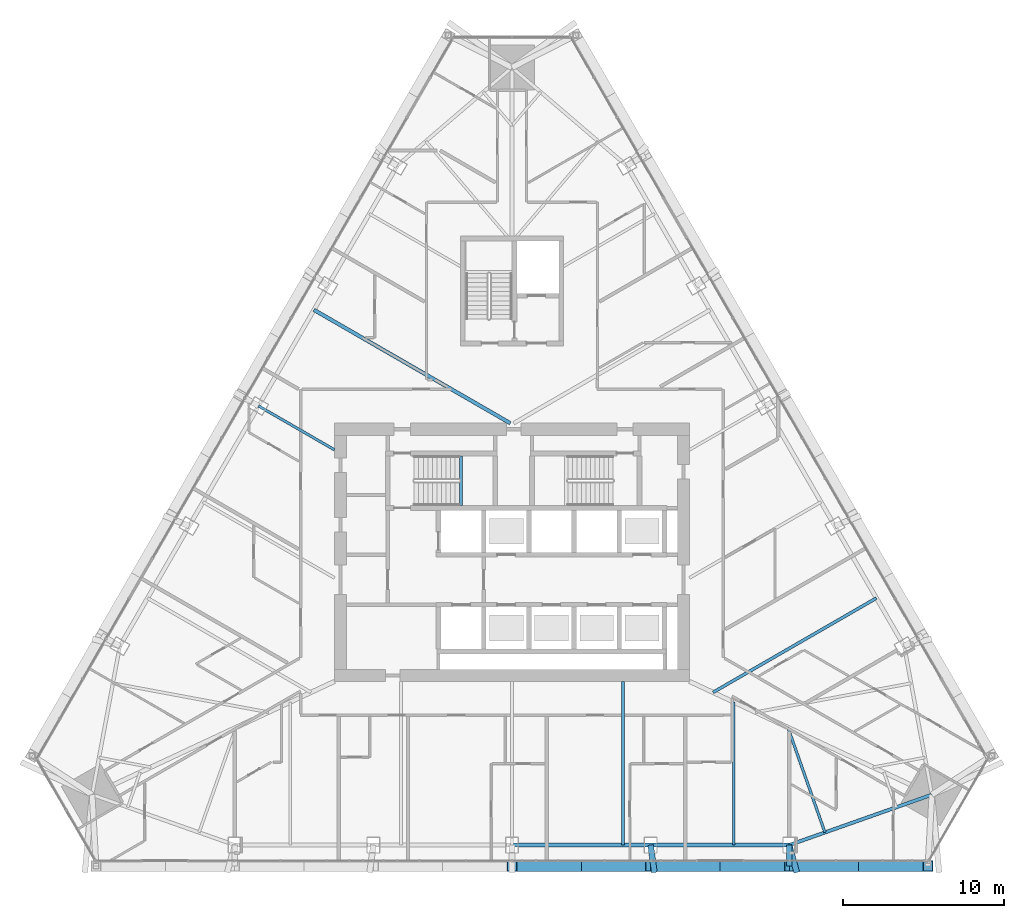
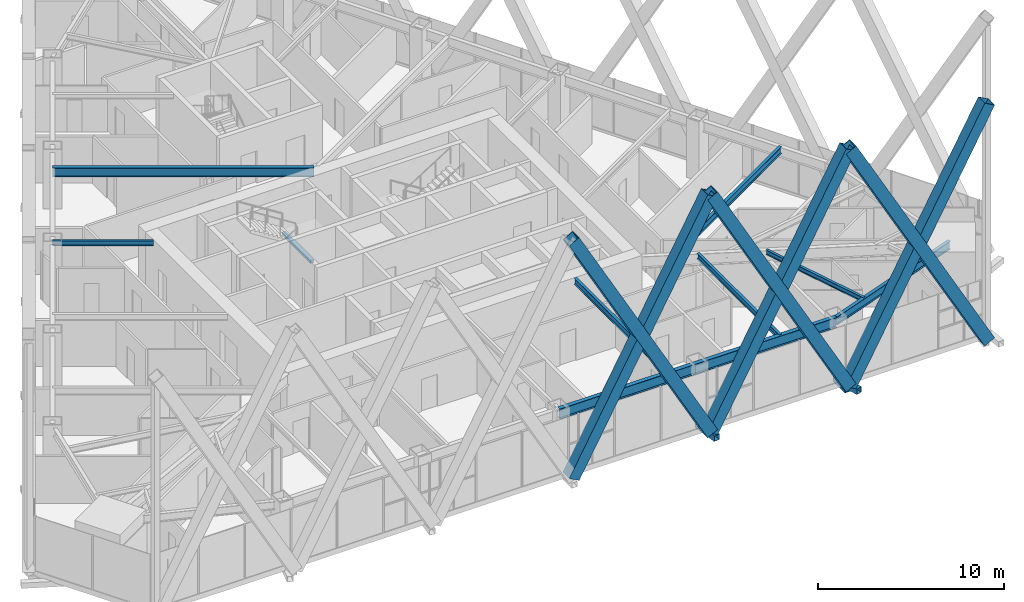
# One storey, part 10 of 23: 9 beams, 9 members.
"""IFC4 building model written with IfcOpenShell, lengths in metres."""

from ifc_helpers import new_model, si_unit, direction, frame, origin, origin_2d, place, context, subcontext, project, spatial, rectangle, hollow_rectangle, i_section, extrude, material, material_profile, profile_set, type_object, element, save


model = new_model("IFC4")

# Units and contexts
model_context = context("Model", 3, precision=1e-05, world=origin(), true_north=direction((0.0, 1.0)))
body_context = subcontext(model_context, "Body", "Model", "MODEL_VIEW")
ifc_project = project(units=[si_unit("LENGTHUNIT", "METRE"), si_unit("AREAUNIT", "SQUARE_METRE"), si_unit("VOLUMEUNIT", "CUBIC_METRE"), si_unit("PLANEANGLEUNIT", "RADIAN"), si_unit("MASSUNIT", "GRAM", prefix="KILO")], contexts=[model_context])

# Site, building, storey
site_placement = place(None, origin())
site = spatial("IfcSite", under=ifc_project, at=site_placement, CompositionType="ELEMENT")
building_placement = place(site_placement, origin())
building = spatial("IfcBuilding", under=site, at=building_placement, Name="Firuza Gate Tower and Library", CompositionType="ELEMENT")
storey_placement = place(building_placement, frame((0.0, 0.0, 202.60009765625)))
storey = spatial("IfcBuildingStorey", under=building, at=storey_placement, Name="L47", CompositionType="ELEMENT", Elevation=202.60009765625)

# Members
ifc_material_1 = material(Name="Steel S355", Category="steel")
ifc_material_profile_1 = material_profile(ifc_material_1, hollow_rectangle(XDim=0.699951171875, YDim=0.699951171875, WallThickness=0.030029296875, at=origin_2d()))
ifc_profile_set_1 = profile_set([ifc_material_profile_1], Name="Steel S355")
member_type_1 = type_object("IfcMemberType", Name="BU700x700x30 Lattice brace", PredefinedType="BRACE", material=ifc_profile_set_1)
for number, where, z_axis, x_axis, name in (
    (1, (75.0, 55.558349609375, 0.0), (0.482514835768, 0.0, 0.875887797189), (0.0, 1.0, 0.0), "Lattice brace S 11.4R"),
    (2, (83.59375, 55.558349609375, 0.0), (-0.482514835768, 0.0, 0.875887797189), (0.0, -1.0, 0.0), "Lattice brace S 11.4L"),
    (3, (83.59375, 55.558349609375, 0.0), (0.482514835768, 0.0, 0.875887797189), (0.0, 1.0, 0.0), "Lattice brace S 11.5R"),
    (4, (92.1875, 55.558349609375, 0.0), (-0.482514835768, 0.0, 0.875887797189), (0.0, -1.0, 0.0), "Lattice brace S 11.5L"),
    (5, (92.1875, 55.558349609375, 0.0), (0.482514835768, 0.0, 0.875887797189), (0.0, 1.0, 0.0), "Lattice brace S 11.6R"),
    (6, (100.78125, 55.558349609375, 0.0), (-0.482514835768, 0.0, 0.875887797189), (0.0, -1.0, 0.0), "Lattice brace S 11.6L"),
):
    element("IfcMember", number, at=place(storey_placement, frame(where, z_axis=z_axis, x_axis=x_axis)), inside=storey, type_object=member_type_1, Name=name, PredefinedType="BRACE", context=body_context, shape_type="SweptSolid", body=[
        extrude(hollow_rectangle(XDim=0.699951171875, YDim=0.699951171875, WallThickness=0.030029296875, at=origin_2d()), origin(), (0.0, 0.0, 1.0), 17.810302734375),
    ])
ifc_material_2 = material(Name="Steel S355", Category="steel")
ifc_material_profile_2 = material_profile(ifc_material_2, hollow_rectangle(XDim=0.355712890625, YDim=0.355712890625, WallThickness=0.014892578125, at=origin_2d()))
ifc_profile_set_2 = profile_set([ifc_material_profile_2], Name="Steel S355")
member_type_2 = type_object("IfcMemberType", Name="HSS356x356x16 Lattice node tie", PredefinedType="BRACE", material=ifc_profile_set_2)
member_1_placement = place(storey_placement, frame((83.59375, 56.8583984375, -0.320068359375), z_axis=(0.134299675223, -0.990940763737, 0.0), x_axis=(0.990940763737, 0.134299675223, 0.0)))
element("IfcMember", 7, at=member_1_placement, inside=storey, type_object=member_type_2, Name="Lattice node tie S L47 246", PredefinedType="BRACE", context=body_context, shape_type="SweptSolid", body=[
    extrude(hollow_rectangle(XDim=0.355712890625, YDim=0.355712890625, WallThickness=0.014892578125, at=origin_2d()), origin(), (0.0, 0.0, 1.0), 1.71435546875),
])
member_2_placement = place(storey_placement, frame((92.1875, 56.8583984375, -0.320068359375), z_axis=(0.261485479659, -0.965207409797, 0.0), x_axis=(0.965207409797, 0.261485479659, 0.0)))
element("IfcMember", 8, at=member_2_placement, inside=storey, type_object=member_type_2, Name="Lattice node tie S L47 247", PredefinedType="BRACE", context=body_context, shape_type="SweptSolid", body=[
    extrude(hollow_rectangle(XDim=0.355712890625, YDim=0.355712890625, WallThickness=0.014892578125, at=origin_2d()), origin(), (0.0, 0.0, 1.0), 1.760009765625),
])
member_3_placement = place(storey_placement, frame((92.1875, 56.8583984375, -0.320068359375), z_axis=(0.0, -1.0, 0.0), x_axis=(1.0, 0.0, 0.0)))
element("IfcMember", 9, at=member_3_placement, inside=storey, type_object=member_type_2, Name="Lattice node tie S L47 248", PredefinedType="BRACE", context=body_context, shape_type="SweptSolid", body=[
    extrude(hollow_rectangle(XDim=0.355712890625, YDim=0.355712890625, WallThickness=0.014892578125, at=origin_2d()), origin(), (0.0, 0.0, 1.0), 1.300048828125),
])

# Beams
ifc_material_3 = material(Name="Concrete C35/45", Category="concrete")
ifc_material_profile_3 = material_profile(ifc_material_3, rectangle(XDim=0.199951171875, YDim=0.199951171875, at=origin_2d()))
ifc_profile_set_3 = profile_set([ifc_material_profile_3], Name="Concrete C35/45")
beam_type_1 = type_object("IfcBeamType", Name="Stair landing bearer 200x200", PredefinedType="BEAM", material=ifc_profile_set_3)
beam_1_placement = place(storey_placement, frame((71.840087890625, 77.89990234375, 1.64990234375), z_axis=(0.0, 1.0, 0.0), x_axis=(-1.0, 0.0, 0.0)))
element("IfcBeam", 10, at=beam_1_placement, inside=storey, type_object=beam_type_1, Name="Landing bearer L47 stair 1", PredefinedType="BEAM", context=body_context, shape_type="SweptSolid", body=[
    extrude(rectangle(XDim=0.199951171875, YDim=0.199951171875, at=origin_2d()), origin(), (0.0, 0.0, 1.0), 3.080078125),
])
ifc_material_4 = material(Name="Steel S355", Category="steel")
ifc_material_profile_4 = material_profile(ifc_material_4, i_section(OverallWidth=0.1650390625, OverallDepth=0.31005859375, WebThickness=0.005859375, FlangeThickness=0.009765625, at=origin_2d()))
ifc_profile_set_4 = profile_set([ifc_material_profile_4], Name="Steel S355")
beam_type_2 = type_object("IfcBeamType", Name="W310x39 Floor beam", PredefinedType="JOIST", material=ifc_profile_set_4)
beam_2_placement = place(storey_placement, frame((94.396240234375, 57.6376953125, 3.544921875), z_axis=(-0.332781274882, 0.943004041925, 0.0), x_axis=(-0.943004041925, -0.332781274882, 0.0)))
element("IfcBeam", 11, at=beam_2_placement, inside=storey, type_object=beam_type_2, Name="Floor beam L47 s30", PredefinedType="JOIST", context=body_context, shape_type="SweptSolid", body=[
    extrude(i_section(OverallWidth=0.1650390625, OverallDepth=0.31005859375, WebThickness=0.005859375, FlangeThickness=0.009765625, at=origin_2d()), origin(), (0.0, 0.0, 1.0), 6.904296875),
])
beam_3_placement = place(storey_placement, frame((59.288818359375, 84.07080078125, 3.544921875), z_axis=(0.866027894023, -0.499995686755, 0.0), x_axis=(0.499995686755, 0.866027894023, 0.0)))
element("IfcBeam", 12, at=beam_3_placement, inside=storey, type_object=beam_type_2, Name="Floor beam L47 s82", PredefinedType="JOIST", context=body_context, shape_type="SweptSolid", body=[
    extrude(i_section(OverallWidth=0.1650390625, OverallDepth=0.31005859375, WebThickness=0.005859375, FlangeThickness=0.009765625, at=origin_2d()), origin(), (0.0, 0.0, 1.0), 5.43994140625),
])
ifc_material_5 = material(Name="Steel S355", Category="steel")
ifc_material_profile_5 = material_profile(ifc_material_5, i_section(OverallWidth=0.1708984375, OverallDepth=0.35498046875, WebThickness=0.007080078125, FlangeThickness=0.01171875, at=origin_2d()))
ifc_profile_set_5 = profile_set([ifc_material_profile_5], Name="Steel S355")
beam_type_3 = type_object("IfcBeamType", Name="W360x51 Floor beam", PredefinedType="JOIST", material=ifc_profile_set_5)
beam_4_placement = place(storey_placement, frame((88.75, 56.8583984375, 3.5224609375), z_axis=(0.0, 1.0, 0.0), x_axis=(-1.0, 0.0, 0.0)))
element("IfcBeam", 13, at=beam_4_placement, inside=storey, type_object=beam_type_3, Name="Floor beam L47 s24", PredefinedType="JOIST", context=body_context, shape_type="SweptSolid", body=[
    extrude(i_section(OverallWidth=0.1708984375, OverallDepth=0.35498046875, WebThickness=0.007080078125, FlangeThickness=0.01171875, at=origin_2d()), origin(), (0.0, 0.0, 1.0), 8.855712890625),
])
ifc_material_6 = material(Name="Steel S355", Category="steel")
ifc_material_profile_6 = material_profile(ifc_material_6, i_section(OverallWidth=0.177978515625, OverallDepth=0.406982421875, WebThickness=0.0078125, FlangeThickness=0.0126953125, at=origin_2d()))
ifc_profile_set_6 = profile_set([ifc_material_profile_6], Name="Steel S355")
beam_type_4 = type_object("IfcBeamType", Name="W410x60 Floor beam", PredefinedType="JOIST", material=ifc_profile_set_6)
beam_5_placement = place(storey_placement, frame((81.875, 56.8583984375, 3.496337890625), z_axis=(0.0, 1.0, 0.0), x_axis=(-1.0, 0.0, 0.0)))
element("IfcBeam", 14, at=beam_5_placement, inside=storey, type_object=beam_type_4, Name="Floor beam L47 s23", PredefinedType="JOIST", context=body_context, shape_type="SweptSolid", body=[
    extrude(i_section(OverallWidth=0.177978515625, OverallDepth=0.406982421875, WebThickness=0.0078125, FlangeThickness=0.0126953125, at=origin_2d()), origin(), (0.0, 0.0, 1.0), 10.1416015625),
])
ifc_material_7 = material(Name="Steel S355", Category="steel")
ifc_material_profile_7 = material_profile(ifc_material_7, i_section(OverallWidth=0.18994140625, OverallDepth=0.45703125, WebThickness=0.009033203125, FlangeThickness=0.014404296875, at=origin_2d()))
ifc_profile_set_7 = profile_set([ifc_material_profile_7], Name="Steel S355")
beam_type_5 = type_object("IfcBeamType", Name="W460x74 Floor beam", PredefinedType="JOIST", material=ifc_profile_set_7)
beam_6_placement = place(storey_placement, frame((97.586181640625, 72.1630859375, 3.471435546875), z_axis=(-0.866025630412, -0.49999960747, 0.0), x_axis=(0.49999960747, -0.866025630412, 0.0)))
element("IfcBeam", 15, at=beam_6_placement, inside=storey, type_object=beam_type_5, Name="Floor beam L47 s50", PredefinedType="JOIST", context=body_context, shape_type="SweptSolid", body=[
    extrude(i_section(OverallWidth=0.18994140625, OverallDepth=0.45703125, WebThickness=0.009033203125, FlangeThickness=0.014404296875, at=origin_2d()), origin(), (0.0, 0.0, 1.0), 11.69189453125),
])
ifc_material_8 = material(Name="Steel S355", Category="steel")
ifc_material_profile_8 = material_profile(ifc_material_8, i_section(OverallWidth=0.212890625, OverallDepth=0.5390625, WebThickness=0.01171875, FlangeThickness=0.018798828125, at=origin_2d()))
ifc_profile_set_8 = profile_set([ifc_material_profile_8], Name="Steel S355")
beam_type_6 = type_object("IfcBeamType", Name="W530x109 Edge beam", PredefinedType="SPANDREL", material=ifc_profile_set_8)
beam_7_placement = place(storey_placement, frame((92.1875, 56.8583984375, 3.430419921875), z_axis=(0.94300861327, 0.332768320754, 0.0), x_axis=(-0.332768320754, 0.94300861327, 0.0)))
element("IfcBeam", 16, at=beam_7_placement, inside=storey, type_object=beam_type_6, Name="Edge beam L47 e30", PredefinedType="SPANDREL", context=body_context, shape_type="SweptSolid", body=[
    extrude(i_section(OverallWidth=0.212890625, OverallDepth=0.5390625, WebThickness=0.01171875, FlangeThickness=0.018798828125, at=origin_2d()), origin(), (0.0, 0.0, 1.0), 9.368896484375),
])
ifc_material_9 = material(Name="Steel S355", Category="steel")
ifc_material_profile_9 = material_profile(ifc_material_9, i_section(OverallWidth=0.22802734375, OverallDepth=0.60302734375, WebThickness=0.010498046875, FlangeThickness=0.014892578125, at=origin_2d()))
ifc_profile_set_9 = profile_set([ifc_material_profile_9], Name="Steel S355")
beam_type_7 = type_object("IfcBeamType", Name="W610x101 Floor beam", PredefinedType="JOIST", material=ifc_profile_set_9)
beam_8_placement = place(storey_placement, frame((62.726318359375, 90.024658203125, 3.3984375), z_axis=(0.866028453965, -0.499994716896, 0.0), x_axis=(0.499994716896, 0.866028453965, 0.0)))
element("IfcBeam", 17, at=beam_8_placement, inside=storey, type_object=beam_type_7, Name="Floor beam L47 s81", PredefinedType="JOIST", context=body_context, shape_type="SweptSolid", body=[
    extrude(i_section(OverallWidth=0.22802734375, OverallDepth=0.60302734375, WebThickness=0.010498046875, FlangeThickness=0.014892578125, at=origin_2d()), origin(), (0.0, 0.0, 1.0), 14.049560546875),
])
ifc_material_10 = material(Name="Steel S355", Category="steel")
ifc_material_profile_10 = material_profile(ifc_material_10, i_section(OverallWidth=0.2529296875, OverallDepth=0.677978515625, WebThickness=0.01171875, FlangeThickness=0.016357421875, at=origin_2d()))
ifc_profile_set_10 = profile_set([ifc_material_profile_10], Name="Steel S355")
beam_type_8 = type_object("IfcBeamType", Name="W690x125 Edge beam", PredefinedType="SPANDREL", material=ifc_profile_set_10)
beam_9_placement = place(storey_placement, frame((75.0, 56.8583984375, 3.36083984375), z_axis=(1.0, 0.0, 0.0), x_axis=(0.0, 1.0, 0.0)))
element("IfcBeam", 18, at=beam_9_placement, inside=storey, type_object=beam_type_8, Name="Edge beam L47 e22", PredefinedType="SPANDREL", context=body_context, shape_type="SweptSolid", body=[
    extrude(i_section(OverallWidth=0.2529296875, OverallDepth=0.677978515625, WebThickness=0.01171875, FlangeThickness=0.016357421875, at=origin_2d()), origin(), (0.0, 0.0, 1.0), 17.1875),
])

save(model, "model.ifc")
